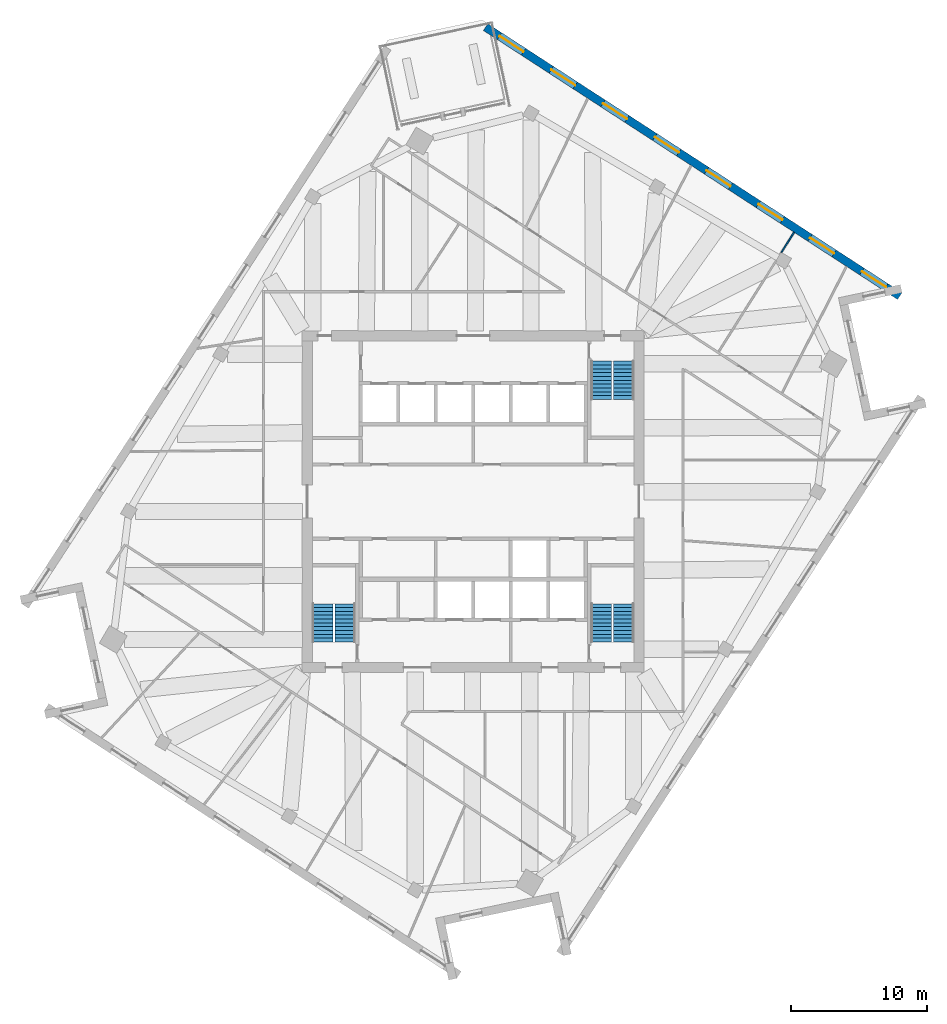
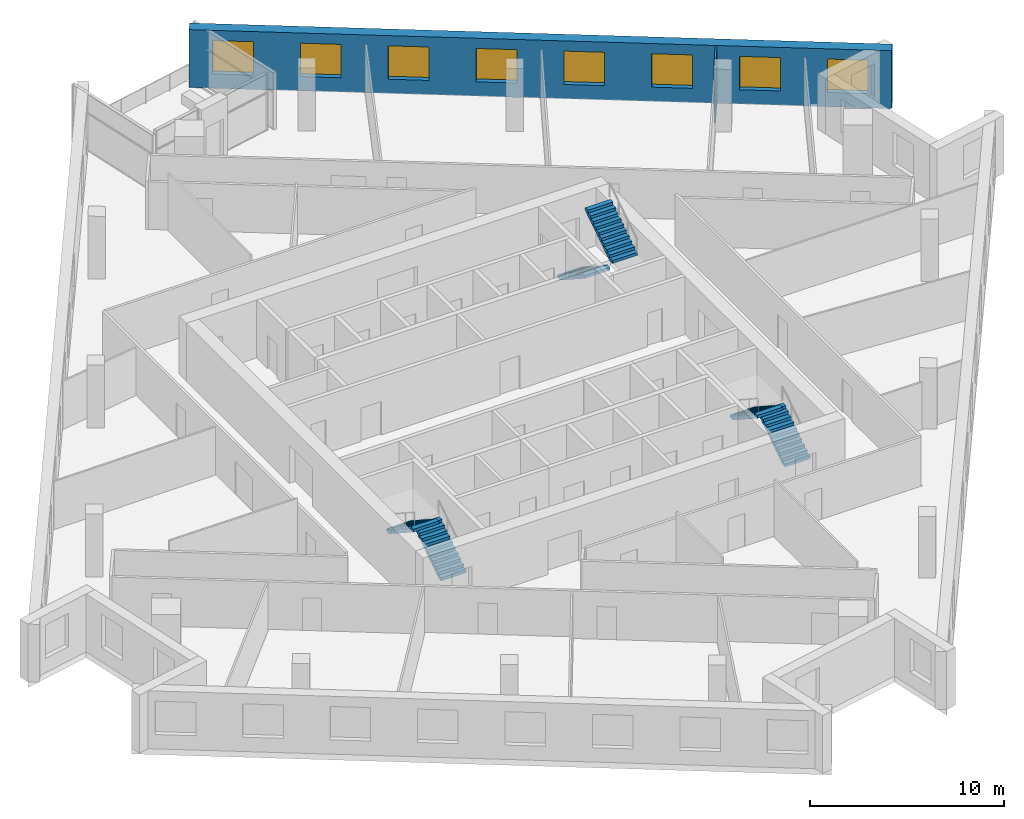
# One storey, part 10 of 12: 8 windows, 6 stair flights, 2 walls, 8 openings, 3 elements without a shape of their own.
"""IFC4 building model written with IfcOpenShell, lengths in metres."""

from ifc_helpers import new_model, si_unit, direction, frame, frame_2d, origin, place, context, subcontext, project, spatial, polyline, rectangle, outline, extrude, material, layer, layer_set, type_object, element, fill, aggregate, save


model = new_model("IFC4")

# Units and contexts
model_context = context("Model", 3, precision=1e-05, world=origin(), true_north=direction((0.0, 1.0)))
body_context = subcontext(model_context, "Body", "Model", "MODEL_VIEW")
ifc_project = project(units=[si_unit("LENGTHUNIT", "METRE"), si_unit("AREAUNIT", "SQUARE_METRE"), si_unit("VOLUMEUNIT", "CUBIC_METRE"), si_unit("PLANEANGLEUNIT", "RADIAN"), si_unit("MASSUNIT", "GRAM", prefix="KILO")], contexts=[model_context])

# Site, building, storey
site_placement = place(None, origin())
site = spatial("IfcSite", under=ifc_project, at=site_placement, CompositionType="ELEMENT")
building_placement = place(site_placement, origin())
building = spatial("IfcBuilding", under=site, at=building_placement, Name="Dilmun Exchange Tower", CompositionType="ELEMENT")
storey_placement = place(building_placement, frame((0.0, 0.0, 258.89990234375)))
storey = spatial("IfcBuildingStorey", under=building, at=storey_placement, Name="L61", CompositionType="ELEMENT", Elevation=258.89990234375)

# Wall
ifc_material_1 = material(Name="Partition 100")
ifc_layer_1 = layer(ifc_material_1, 0.10009765625)
ifc_layer_set_1 = layer_set([ifc_layer_1], Name="Partition 100")
wall_type_1 = type_object("IfcWallType", Name="Partition 100", PredefinedType="PARTITIONING", material=ifc_layer_set_1)
wall_1_placement = place(storey_placement, frame((22.618896484375, 18.28466796875, 0.0), z_axis=(0.0, 0.0, 1.0), x_axis=(0.53411937272, 0.845409070028, 0.0)))
element("IfcWall", 1, at=wall_1_placement, inside=storey, type_object=wall_type_1, Name="Partition", PredefinedType="PARTITIONING", context=body_context, shape_type="SweptSolid", body=[
    extrude(rectangle(XDim=1.744140625, YDim=0.10009765625, at=frame_2d((0.8720703125, 0.0))), origin(), (0.0, 0.0, 1.0), 3.64013671875),
])

# Wall, openings, windows
ifc_material_2 = material(Name="Precast concrete C50/60", Category="concrete")
ifc_layer_2 = layer(ifc_material_2, 0.60009765625)
ifc_layer_set_2 = layer_set([ifc_layer_2], Name="Precast concrete C50/60")
wall_type_2 = type_object("IfcWallType", Name="Precast stone-clad wall 600", PredefinedType="STANDARD", material=ifc_layer_set_2)
wall_2_placement = place(storey_placement, frame((31.30810546875, 15.08154296875, 0.0), z_axis=(0.0, 0.0, 1.0), x_axis=(-0.838672242303, 0.544636456721, 0.0)))
wall_2 = element("IfcWall", 2, at=wall_2_placement, inside=storey, type_object=wall_type_2, Name="Facade wall L61-15", PredefinedType="STANDARD", context=body_context, shape_type="SweptSolid", body=[
    extrude(rectangle(XDim=36.242919921875, YDim=0.60009765625, at=frame_2d((18.12158203125, 0.0))), origin(), (0.0, 0.0, 1.0), 3.64013671875),
])
opening_1_placement = place(wall_2_placement, frame((1.215087890625, 0.0, 0.89990234375)))
opening_1 = element("IfcOpeningElement", 3, at=opening_1_placement, cuts=wall_2, Name="Opening W210-210", PredefinedType="OPENING", context=body_context, shape_type="SweptSolid", body=[
    extrude(rectangle(XDim=2.10009765625, YDim=2.10009765625, at=frame_2d((1.050048828125, 1.050048828125))), frame((0.0, 0.31005859375, 0.0), z_axis=(0.0, -1.0, 0.0), x_axis=(1.0, 0.0, 0.0)), (0.0, 0.0, 1.0), 0.6201171875),
])
opening_2_placement = place(wall_2_placement, frame((5.74560546875, 0.0, 0.89990234375)))
opening_2 = element("IfcOpeningElement", 4, at=opening_2_placement, cuts=wall_2, Name="Opening W210-210", PredefinedType="OPENING", context=body_context, shape_type="SweptSolid", body=[
    extrude(rectangle(XDim=2.10009765625, YDim=2.10009765625, at=frame_2d((1.050048828125, 1.050048828125))), frame((0.0, 0.31005859375, 0.0), z_axis=(0.0, -1.0, 0.0), x_axis=(1.0, 0.0, 0.0)), (0.0, 0.0, 1.0), 0.6201171875),
])
opening_3_placement = place(wall_2_placement, frame((10.27587890625, 0.0, 0.89990234375)))
opening_3 = element("IfcOpeningElement", 5, at=opening_3_placement, cuts=wall_2, Name="Opening W210-210", PredefinedType="OPENING", context=body_context, shape_type="SweptSolid", body=[
    extrude(rectangle(XDim=2.10009765625, YDim=2.10009765625, at=frame_2d((1.050048828125, 1.050048828125))), frame((0.0, 0.31005859375, 0.0), z_axis=(0.0, -1.0, 0.0), x_axis=(1.0, 0.0, 0.0)), (0.0, 0.0, 1.0), 0.6201171875),
])
opening_4_placement = place(wall_2_placement, frame((14.806396484375, 0.0, 0.89990234375)))
opening_4 = element("IfcOpeningElement", 6, at=opening_4_placement, cuts=wall_2, Name="Opening W210-210", PredefinedType="OPENING", context=body_context, shape_type="SweptSolid", body=[
    extrude(rectangle(XDim=2.10009765625, YDim=2.10009765625, at=frame_2d((1.050048828125, 1.050048828125))), frame((0.0, 0.31005859375, 0.0), z_axis=(0.0, -1.0, 0.0), x_axis=(1.0, 0.0, 0.0)), (0.0, 0.0, 1.0), 0.6201171875),
])
opening_5_placement = place(wall_2_placement, frame((19.3369140625, 0.0, 0.89990234375)))
opening_5 = element("IfcOpeningElement", 7, at=opening_5_placement, cuts=wall_2, Name="Opening W210-210", PredefinedType="OPENING", context=body_context, shape_type="SweptSolid", body=[
    extrude(rectangle(XDim=2.10009765625, YDim=2.10009765625, at=frame_2d((1.050048828125, 1.050048828125))), frame((0.0, 0.31005859375, 0.0), z_axis=(0.0, -1.0, 0.0), x_axis=(1.0, 0.0, 0.0)), (0.0, 0.0, 1.0), 0.6201171875),
])
opening_6_placement = place(wall_2_placement, frame((23.8671875, 0.0, 0.89990234375)))
opening_6 = element("IfcOpeningElement", 8, at=opening_6_placement, cuts=wall_2, Name="Opening W210-210", PredefinedType="OPENING", context=body_context, shape_type="SweptSolid", body=[
    extrude(rectangle(XDim=2.10009765625, YDim=2.10009765625, at=frame_2d((1.050048828125, 1.050048828125))), frame((0.0, 0.31005859375, 0.0), z_axis=(0.0, -1.0, 0.0), x_axis=(1.0, 0.0, 0.0)), (0.0, 0.0, 1.0), 0.6201171875),
])
opening_7_placement = place(wall_2_placement, frame((28.397705078125, 0.0, 0.89990234375)))
opening_7 = element("IfcOpeningElement", 9, at=opening_7_placement, cuts=wall_2, Name="Opening W210-210", PredefinedType="OPENING", context=body_context, shape_type="SweptSolid", body=[
    extrude(rectangle(XDim=2.10009765625, YDim=2.10009765625, at=frame_2d((1.050048828125, 1.050048828125))), frame((0.0, 0.31005859375, 0.0), z_axis=(0.0, -1.0, 0.0), x_axis=(1.0, 0.0, 0.0)), (0.0, 0.0, 1.0), 0.6201171875),
])
opening_8_placement = place(wall_2_placement, frame((32.927978515625, 0.0, 0.89990234375)))
opening_8 = element("IfcOpeningElement", 10, at=opening_8_placement, cuts=wall_2, Name="Opening W210-210", PredefinedType="OPENING", context=body_context, shape_type="SweptSolid", body=[
    extrude(rectangle(XDim=2.10009765625, YDim=2.10009765625, at=frame_2d((1.050048828125, 1.050048828125))), frame((0.0, 0.31005859375, 0.0), z_axis=(0.0, -1.0, 0.0), x_axis=(1.0, 0.0, 0.0)), (0.0, 0.0, 1.0), 0.6201171875),
])
ifc_material_3 = material(Name="Clear low-emissivity glass in aluminium frame", Category="aluminium")
window_type = type_object("IfcWindowType", Name="Punched window 2100 x 2100", PartitioningType="DOUBLE_PANEL_VERTICAL", PredefinedType="WINDOW", material=ifc_material_3)
window_1_placement = place(opening_1_placement, origin())
window_1 = element("IfcWindow", 11, at=window_1_placement, inside=storey, type_object=window_type, Name="Window 16.1", OverallHeight=2.10009765625, OverallWidth=2.10009765625, PartitioningType="SINGLE_PANEL", PredefinedType="WINDOW", context=body_context, shape_type="SweptSolid", body=[
    extrude(rectangle(XDim=2.10009765625, YDim=2.10009765625, at=frame_2d((1.050048828125, 1.050048828125))), frame((0.0, 0.030029296875, 0.0), z_axis=(0.0, -1.0, 0.0), x_axis=(1.0, 0.0, 0.0)), (0.0, 0.0, 1.0), 0.06005859375),
])
fill(opening_1, window_1)
window_2_placement = place(opening_2_placement, origin())
window_2 = element("IfcWindow", 12, at=window_2_placement, inside=storey, type_object=window_type, Name="Window 16.2", OverallHeight=2.10009765625, OverallWidth=2.10009765625, PartitioningType="SINGLE_PANEL", PredefinedType="WINDOW", context=body_context, shape_type="SweptSolid", body=[
    extrude(rectangle(XDim=2.10009765625, YDim=2.10009765625, at=frame_2d((1.050048828125, 1.050048828125))), frame((0.0, 0.030029296875, 0.0), z_axis=(0.0, -1.0, 0.0), x_axis=(1.0, 0.0, 0.0)), (0.0, 0.0, 1.0), 0.06005859375),
])
fill(opening_2, window_2)
window_3_placement = place(opening_3_placement, origin())
window_3 = element("IfcWindow", 13, at=window_3_placement, inside=storey, type_object=window_type, Name="Window 16.3", OverallHeight=2.10009765625, OverallWidth=2.10009765625, PartitioningType="SINGLE_PANEL", PredefinedType="WINDOW", context=body_context, shape_type="SweptSolid", body=[
    extrude(rectangle(XDim=2.10009765625, YDim=2.10009765625, at=frame_2d((1.050048828125, 1.050048828125))), frame((0.0, 0.030029296875, 0.0), z_axis=(0.0, -1.0, 0.0), x_axis=(1.0, 0.0, 0.0)), (0.0, 0.0, 1.0), 0.06005859375),
])
fill(opening_3, window_3)
window_4_placement = place(opening_4_placement, origin())
window_4 = element("IfcWindow", 14, at=window_4_placement, inside=storey, type_object=window_type, Name="Window 16.4", OverallHeight=2.10009765625, OverallWidth=2.10009765625, PartitioningType="SINGLE_PANEL", PredefinedType="WINDOW", context=body_context, shape_type="SweptSolid", body=[
    extrude(rectangle(XDim=2.10009765625, YDim=2.10009765625, at=frame_2d((1.050048828125, 1.050048828125))), frame((0.0, 0.030029296875, 0.0), z_axis=(0.0, -1.0, 0.0), x_axis=(1.0, 0.0, 0.0)), (0.0, 0.0, 1.0), 0.06005859375),
])
fill(opening_4, window_4)
window_5_placement = place(opening_5_placement, origin())
window_5 = element("IfcWindow", 15, at=window_5_placement, inside=storey, type_object=window_type, Name="Window 16.5", OverallHeight=2.10009765625, OverallWidth=2.10009765625, PartitioningType="SINGLE_PANEL", PredefinedType="WINDOW", context=body_context, shape_type="SweptSolid", body=[
    extrude(rectangle(XDim=2.10009765625, YDim=2.10009765625, at=frame_2d((1.050048828125, 1.050048828125))), frame((0.0, 0.030029296875, 0.0), z_axis=(0.0, -1.0, 0.0), x_axis=(1.0, 0.0, 0.0)), (0.0, 0.0, 1.0), 0.06005859375),
])
fill(opening_5, window_5)
window_6_placement = place(opening_6_placement, origin())
window_6 = element("IfcWindow", 16, at=window_6_placement, inside=storey, type_object=window_type, Name="Window 16.6", OverallHeight=2.10009765625, OverallWidth=2.10009765625, PartitioningType="SINGLE_PANEL", PredefinedType="WINDOW", context=body_context, shape_type="SweptSolid", body=[
    extrude(rectangle(XDim=2.10009765625, YDim=2.10009765625, at=frame_2d((1.050048828125, 1.050048828125))), frame((0.0, 0.030029296875, 0.0), z_axis=(0.0, -1.0, 0.0), x_axis=(1.0, 0.0, 0.0)), (0.0, 0.0, 1.0), 0.06005859375),
])
fill(opening_6, window_6)
window_7_placement = place(opening_7_placement, origin())
window_7 = element("IfcWindow", 17, at=window_7_placement, inside=storey, type_object=window_type, Name="Window 16.7", OverallHeight=2.10009765625, OverallWidth=2.10009765625, PartitioningType="SINGLE_PANEL", PredefinedType="WINDOW", context=body_context, shape_type="SweptSolid", body=[
    extrude(rectangle(XDim=2.10009765625, YDim=2.10009765625, at=frame_2d((1.050048828125, 1.050048828125))), frame((0.0, 0.030029296875, 0.0), z_axis=(0.0, -1.0, 0.0), x_axis=(1.0, 0.0, 0.0)), (0.0, 0.0, 1.0), 0.06005859375),
])
fill(opening_7, window_7)
window_8_placement = place(opening_8_placement, origin())
window_8 = element("IfcWindow", 18, at=window_8_placement, inside=storey, type_object=window_type, Name="Window 16.8", OverallHeight=2.10009765625, OverallWidth=2.10009765625, PartitioningType="SINGLE_PANEL", PredefinedType="WINDOW", context=body_context, shape_type="SweptSolid", body=[
    extrude(rectangle(XDim=2.10009765625, YDim=2.10009765625, at=frame_2d((1.050048828125, 1.050048828125))), frame((0.0, 0.030029296875, 0.0), z_axis=(0.0, -1.0, 0.0), x_axis=(1.0, 0.0, 0.0)), (0.0, 0.0, 1.0), 0.06005859375),
])
fill(opening_8, window_8)

# Stair, stair flights
ifc_material_4 = material(Name="Concrete C40/50", Category="concrete")
stair_type = type_object("IfcStairType", Name="Exit stair 1500 half-turn", PredefinedType="HALF_TURN_STAIR", material=ifc_material_4)
stair_1_placement = place(storey_placement, origin())
stair_1 = element("IfcStair", 19, at=stair_1_placement, inside=storey, type_object=stair_type, Name="L61 Protected exit stair ST1", PredefinedType="HALF_TURN_STAIR")
stair_flight_type = type_object("IfcStairFlightType", Name="Exit stair flight 1500", PredefinedType="STRAIGHT", material=ifc_material_4)
stair_flight_1_placement = place(storey_placement, frame((9.39990234375, 10.300048828125, 0.0), z_axis=(0.0, 0.0, 1.0), x_axis=(0.0, -1.0, 0.0)))
stair_flight_1 = element("IfcStairFlight", 20, at=stair_flight_1_placement, type_object=stair_flight_type, Name="ST1 flight 1", NumberOfRisers=11, NumberOfTreads=10, PredefinedType="STRAIGHT", RiserHeight=0.181818182, TreadLength=0.28, context=body_context, shape_type="SweptSolid", body=[
    extrude(outline(polyline([(0.0, 0.0), (0.0, 0.181884765625), (0.280029296875, 0.181884765625), (0.280029296875, 0.363525390625), (0.56005859375, 0.363525390625), (0.56005859375, 0.54541015625), (0.840087890625, 0.54541015625), (0.840087890625, 0.727294921875), (1.1201171875, 0.727294921875), (1.1201171875, 0.9091796875), (1.39990234375, 0.9091796875), (1.39990234375, 1.0908203125), (1.679931640625, 1.0908203125), (1.679931640625, 1.272705078125), (1.9599609375, 1.272705078125), (1.9599609375, 1.45458984375), (2.239990234375, 1.45458984375), (2.239990234375, 1.636474609375), (2.52001953125, 1.636474609375), (2.52001953125, 1.818115234375), (2.800048828125, 1.818115234375), (2.800048828125, 2.0), (2.800048828125, 1.639404296875), (0.275146484375, 0.0), (0.0, 0.0)])), frame((0.0, 0.75, 0.0), z_axis=(0.0, -1.0, 0.0), x_axis=(1.0, 0.0, 0.0)), (0.0, 0.0, 1.0), 1.5),
])
stair_flight_2_placement = place(storey_placement, frame((11.050048828125, 7.5, 2.0), z_axis=(0.0, 0.0, 1.0), x_axis=(0.0, 1.0, 0.0)))
stair_flight_2 = element("IfcStairFlight", 21, at=stair_flight_2_placement, type_object=stair_flight_type, Name="ST1 flight 2", NumberOfRisers=11, NumberOfTreads=10, PredefinedType="STRAIGHT", RiserHeight=0.181818182, TreadLength=0.28, context=body_context, shape_type="SweptSolid", body=[
    extrude(outline(polyline([(0.0, 0.0), (0.0, 0.181884765625), (0.280029296875, 0.181884765625), (0.280029296875, 0.363525390625), (0.56005859375, 0.363525390625), (0.56005859375, 0.54541015625), (0.840087890625, 0.54541015625), (0.840087890625, 0.727294921875), (1.1201171875, 0.727294921875), (1.1201171875, 0.9091796875), (1.39990234375, 0.9091796875), (1.39990234375, 1.0908203125), (1.679931640625, 1.0908203125), (1.679931640625, 1.272705078125), (1.9599609375, 1.272705078125), (1.9599609375, 1.45458984375), (2.239990234375, 1.45458984375), (2.239990234375, 1.636474609375), (2.52001953125, 1.636474609375), (2.52001953125, 1.818115234375), (2.800048828125, 1.818115234375), (2.800048828125, 2.0), (2.800048828125, 1.639404296875), (0.275146484375, 0.0), (0.0, 0.0)])), frame((0.0, 0.75, 0.0), z_axis=(0.0, -1.0, 0.0), x_axis=(1.0, 0.0, 0.0)), (0.0, 0.0, 1.0), 1.5),
])
aggregate(stair_1, [stair_flight_1, stair_flight_2])

stair_2_placement = place(storey_placement, origin())
stair_2 = element("IfcStair", 22, at=stair_2_placement, inside=storey, type_object=stair_type, Name="L61 Protected exit stair ST2", PredefinedType="HALF_TURN_STAIR")
stair_flight_3_placement = place(storey_placement, frame((-9.39990234375, -10.300048828125, 0.0), z_axis=(0.0, 0.0, 1.0), x_axis=(0.0, 1.0, 0.0)))
stair_flight_3 = element("IfcStairFlight", 23, at=stair_flight_3_placement, type_object=stair_flight_type, Name="ST2 flight 1", NumberOfRisers=11, NumberOfTreads=10, PredefinedType="STRAIGHT", RiserHeight=0.181818182, TreadLength=0.28, context=body_context, shape_type="SweptSolid", body=[
    extrude(outline(polyline([(0.0, 0.0), (0.0, 0.181884765625), (0.280029296875, 0.181884765625), (0.280029296875, 0.363525390625), (0.56005859375, 0.363525390625), (0.56005859375, 0.54541015625), (0.840087890625, 0.54541015625), (0.840087890625, 0.727294921875), (1.1201171875, 0.727294921875), (1.1201171875, 0.9091796875), (1.39990234375, 0.9091796875), (1.39990234375, 1.0908203125), (1.679931640625, 1.0908203125), (1.679931640625, 1.272705078125), (1.9599609375, 1.272705078125), (1.9599609375, 1.45458984375), (2.239990234375, 1.45458984375), (2.239990234375, 1.636474609375), (2.52001953125, 1.636474609375), (2.52001953125, 1.818115234375), (2.800048828125, 1.818115234375), (2.800048828125, 2.0), (2.800048828125, 1.639404296875), (0.275146484375, 0.0), (0.0, 0.0)])), frame((0.0, 0.75, 0.0), z_axis=(0.0, -1.0, 0.0), x_axis=(1.0, 0.0, 0.0)), (0.0, 0.0, 1.0), 1.5),
])
stair_flight_4_placement = place(storey_placement, frame((-11.050048828125, -7.5, 2.0), z_axis=(0.0, 0.0, 1.0), x_axis=(0.0, -1.0, 0.0)))
stair_flight_4 = element("IfcStairFlight", 24, at=stair_flight_4_placement, type_object=stair_flight_type, Name="ST2 flight 2", NumberOfRisers=11, NumberOfTreads=10, PredefinedType="STRAIGHT", RiserHeight=0.181818182, TreadLength=0.28, context=body_context, shape_type="SweptSolid", body=[
    extrude(outline(polyline([(0.0, 0.0), (0.0, 0.181884765625), (0.280029296875, 0.181884765625), (0.280029296875, 0.363525390625), (0.56005859375, 0.363525390625), (0.56005859375, 0.54541015625), (0.840087890625, 0.54541015625), (0.840087890625, 0.727294921875), (1.1201171875, 0.727294921875), (1.1201171875, 0.9091796875), (1.39990234375, 0.9091796875), (1.39990234375, 1.0908203125), (1.679931640625, 1.0908203125), (1.679931640625, 1.272705078125), (1.9599609375, 1.272705078125), (1.9599609375, 1.45458984375), (2.239990234375, 1.45458984375), (2.239990234375, 1.636474609375), (2.52001953125, 1.636474609375), (2.52001953125, 1.818115234375), (2.800048828125, 1.818115234375), (2.800048828125, 2.0), (2.800048828125, 1.639404296875), (0.275146484375, 0.0), (0.0, 0.0)])), frame((0.0, 0.75, 0.0), z_axis=(0.0, -1.0, 0.0), x_axis=(1.0, 0.0, 0.0)), (0.0, 0.0, 1.0), 1.5),
])
aggregate(stair_2, [stair_flight_3, stair_flight_4])

stair_3_placement = place(storey_placement, origin())
stair_3 = element("IfcStair", 25, at=stair_3_placement, inside=storey, type_object=stair_type, Name="L61 Protected exit stair ST3", PredefinedType="HALF_TURN_STAIR")
stair_flight_5_placement = place(storey_placement, frame((11.050048828125, -10.300048828125, 0.0), z_axis=(0.0, 0.0, 1.0), x_axis=(0.0, 1.0, 0.0)))
stair_flight_5 = element("IfcStairFlight", 26, at=stair_flight_5_placement, type_object=stair_flight_type, Name="ST3 flight 1", NumberOfRisers=11, NumberOfTreads=10, PredefinedType="STRAIGHT", RiserHeight=0.181818182, TreadLength=0.28, context=body_context, shape_type="SweptSolid", body=[
    extrude(outline(polyline([(0.0, 0.0), (0.0, 0.181884765625), (0.280029296875, 0.181884765625), (0.280029296875, 0.363525390625), (0.56005859375, 0.363525390625), (0.56005859375, 0.54541015625), (0.840087890625, 0.54541015625), (0.840087890625, 0.727294921875), (1.1201171875, 0.727294921875), (1.1201171875, 0.9091796875), (1.39990234375, 0.9091796875), (1.39990234375, 1.0908203125), (1.679931640625, 1.0908203125), (1.679931640625, 1.272705078125), (1.9599609375, 1.272705078125), (1.9599609375, 1.45458984375), (2.239990234375, 1.45458984375), (2.239990234375, 1.636474609375), (2.52001953125, 1.636474609375), (2.52001953125, 1.818115234375), (2.800048828125, 1.818115234375), (2.800048828125, 2.0), (2.800048828125, 1.639404296875), (0.275146484375, 0.0), (0.0, 0.0)])), frame((0.0, 0.75, 0.0), z_axis=(0.0, -1.0, 0.0), x_axis=(1.0, 0.0, 0.0)), (0.0, 0.0, 1.0), 1.5),
])
stair_flight_6_placement = place(storey_placement, frame((9.39990234375, -7.5, 2.0), z_axis=(0.0, 0.0, 1.0), x_axis=(0.0, -1.0, 0.0)))
stair_flight_6 = element("IfcStairFlight", 27, at=stair_flight_6_placement, type_object=stair_flight_type, Name="ST3 flight 2", NumberOfRisers=11, NumberOfTreads=10, PredefinedType="STRAIGHT", RiserHeight=0.181818182, TreadLength=0.28, context=body_context, shape_type="SweptSolid", body=[
    extrude(outline(polyline([(0.0, 0.0), (0.0, 0.181884765625), (0.280029296875, 0.181884765625), (0.280029296875, 0.363525390625), (0.56005859375, 0.363525390625), (0.56005859375, 0.54541015625), (0.840087890625, 0.54541015625), (0.840087890625, 0.727294921875), (1.1201171875, 0.727294921875), (1.1201171875, 0.9091796875), (1.39990234375, 0.9091796875), (1.39990234375, 1.0908203125), (1.679931640625, 1.0908203125), (1.679931640625, 1.272705078125), (1.9599609375, 1.272705078125), (1.9599609375, 1.45458984375), (2.239990234375, 1.45458984375), (2.239990234375, 1.636474609375), (2.52001953125, 1.636474609375), (2.52001953125, 1.818115234375), (2.800048828125, 1.818115234375), (2.800048828125, 2.0), (2.800048828125, 1.639404296875), (0.275146484375, 0.0), (0.0, 0.0)])), frame((0.0, 0.75, 0.0), z_axis=(0.0, -1.0, 0.0), x_axis=(1.0, 0.0, 0.0)), (0.0, 0.0, 1.0), 1.5),
])
aggregate(stair_3, [stair_flight_5, stair_flight_6])

save(model, "model.ifc")
